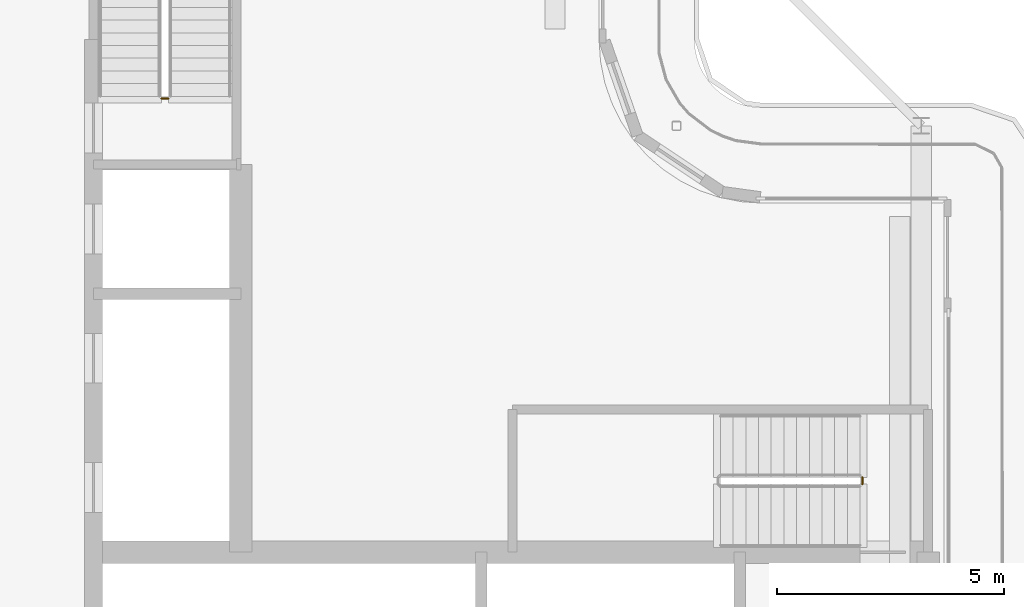
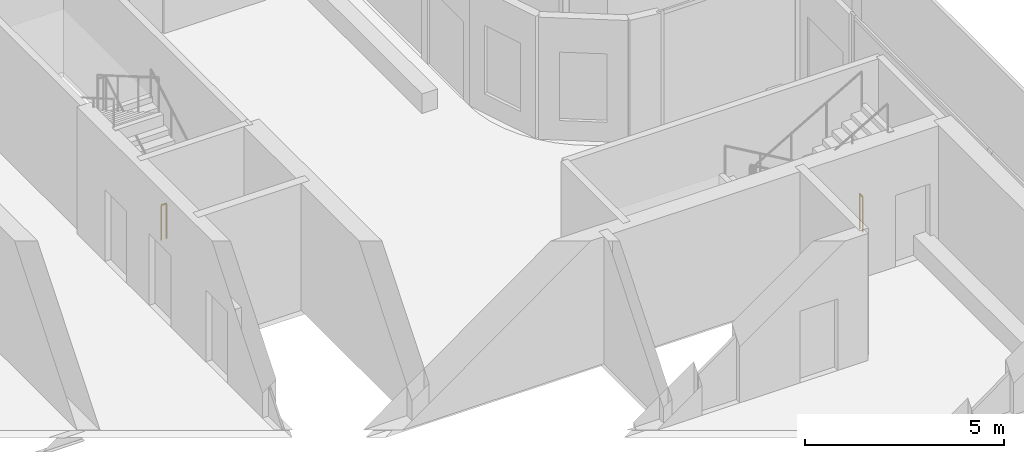
# One storey, part 14 of 18: 2 railings.
"""IFC4 building model written with IfcOpenShell, lengths in metres."""

from ifc_helpers import new_model, si_unit, direction, frame, origin, origin_2d, place, context, subcontext, project, spatial, circle, extrude, material, type_object, element, save


model = new_model("IFC4")

# Units and contexts
model_context = context("Model", 3, precision=1e-05, world=origin(), true_north=direction((0.0, 1.0)))
body_context = subcontext(model_context, "Body", "Model", "MODEL_VIEW")
ifc_project = project(units=[si_unit("LENGTHUNIT", "METRE"), si_unit("AREAUNIT", "SQUARE_METRE"), si_unit("VOLUMEUNIT", "CUBIC_METRE"), si_unit("PLANEANGLEUNIT", "RADIAN"), si_unit("MASSUNIT", "GRAM", prefix="KILO")], contexts=[model_context])

# Site, building, storey
site_placement = place(None, origin())
site = spatial("IfcSite", under=ifc_project, at=site_placement, CompositionType="ELEMENT")
building_placement = place(site_placement, origin())
building = spatial("IfcBuilding", under=site, at=building_placement, Name="Kheshtan School and Residences Tower", CompositionType="ELEMENT")
storey_placement = place(building_placement, frame((0.0, 0.0, 385.10009765625)))
storey = spatial("IfcBuildingStorey", under=building, at=storey_placement, Name="L91", CompositionType="ELEMENT", Elevation=385.10009765625)

# Railings
ifc_material = material(Name="Stainless steel balustrade", Category="steel")
railing_type = type_object("IfcRailingType", Name="Stair guard 1100", PredefinedType="GUARDRAIL", material=ifc_material)
railing_1_placement = place(storey_placement, frame((51.699951171875, 37.85009765625, 0.0)))
element("IfcRailing", 1, at=railing_1_placement, inside=storey, type_object=railing_type, Name="L91 ST1 stair guard 2", PredefinedType="GUARDRAIL", context=body_context, shape_type="SweptSolid", body=[
    extrude(circle(Radius=0.02392578125, at=origin_2d()), frame((0.0, 0.0, 1.076171875), z_axis=(0.0, -1.0, 0.0), x_axis=(1.0, 0.0, 0.0)), (0.0, 0.0, 1.0), 0.150146484375),
    extrude(circle(Radius=0.02099609375, at=origin_2d()), origin(), (0.0, 0.0, 1.0), 1.052001953125),
    extrude(circle(Radius=0.02099609375, at=origin_2d()), frame((0.0, -0.150146484375, 0.0)), (0.0, 0.0, 1.0), 1.052001953125),
])
railing_2_placement = place(storey_placement, frame((36.39990234375, 46.199951171875, 0.0)))
element("IfcRailing", 2, at=railing_2_placement, inside=storey, type_object=railing_type, Name="L91 ST2 stair guard 2", PredefinedType="GUARDRAIL", context=body_context, shape_type="SweptSolid", body=[
    extrude(circle(Radius=0.02392578125, at=origin_2d()), frame((0.0, 0.0, 1.076171875), z_axis=(-1.0, 0.0, 0.0), x_axis=(0.0, -1.0, 0.0)), (0.0, 0.0, 1.0), 0.14990234375),
    extrude(circle(Radius=0.02099609375, at=origin_2d()), origin(), (0.0, 0.0, 1.0), 1.052001953125),
    extrude(circle(Radius=0.02099609375, at=origin_2d()), frame((-0.14990234375, 0.0, 0.0)), (0.0, 0.0, 1.0), 1.052001953125),
])

save(model, "model.ifc")
